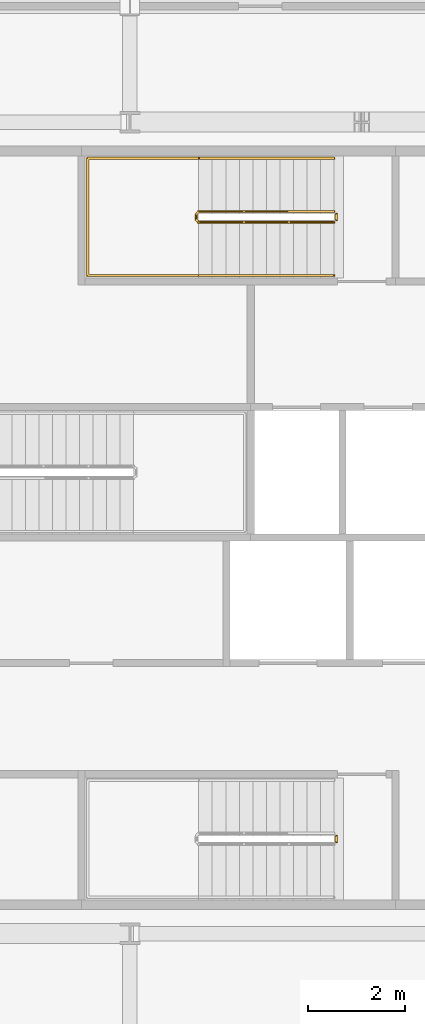
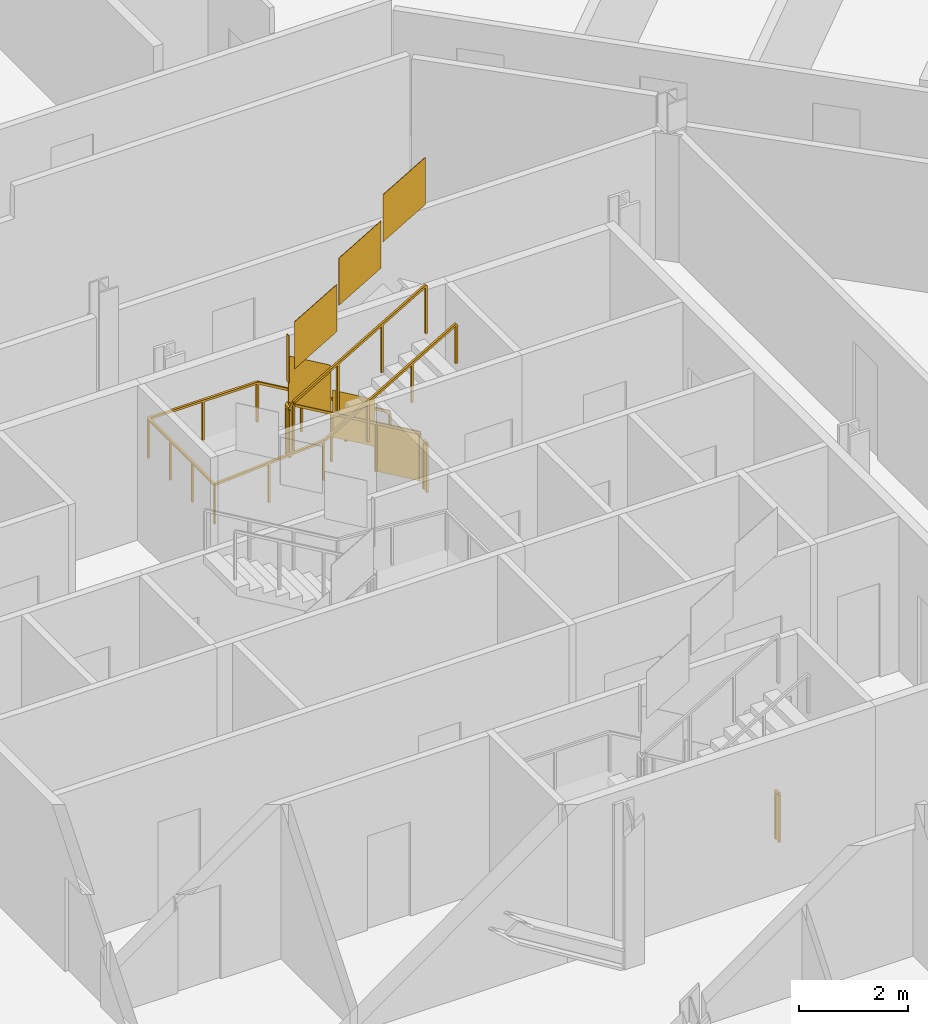
# One storey, part 18 of 21: 4 railings.
"""IFC4 building model written with IfcOpenShell, lengths in metres."""

from ifc_helpers import new_model, si_unit, direction, frame, origin, origin_2d, place, context, subcontext, project, spatial, polyline, rectangle, outline, extrude, material, type_object, element, save


model = new_model("IFC4")

# Units and contexts
model_context = context("Model", 3, precision=1e-05, world=origin(), true_north=direction((0.0, 1.0)))
body_context = subcontext(model_context, "Body", "Model", "MODEL_VIEW")
ifc_project = project(units=[si_unit("LENGTHUNIT", "METRE"), si_unit("AREAUNIT", "SQUARE_METRE"), si_unit("VOLUMEUNIT", "CUBIC_METRE"), si_unit("PLANEANGLEUNIT", "RADIAN"), si_unit("MASSUNIT", "GRAM", prefix="KILO")], contexts=[model_context])

# Site, building, storey
site_placement = place(None, origin())
site = spatial("IfcSite", under=ifc_project, at=site_placement, CompositionType="ELEMENT")
building_placement = place(site_placement, origin())
building = spatial("IfcBuilding", under=site, at=building_placement, Name="Cairn Pilgrim Tower", CompositionType="ELEMENT")
storey_placement = place(building_placement, frame((0.0, 0.0, 150.60009765625)))
storey = spatial("IfcBuildingStorey", under=building, at=storey_placement, Name="L37", CompositionType="ELEMENT", Elevation=150.60009765625)

# Railings
ifc_material = material(Name="Painted steel", Category="steel")
railing_type_1 = type_object("IfcRailingType", Name="STAIR GUARD 1100", PredefinedType="GUARDRAIL", material=ifc_material)
railing_1_placement = place(storey_placement, frame((11.47509765625, -3.97509765625, 0.0)))
element("IfcRailing", 1, at=railing_1_placement, inside=storey, type_object=railing_type_1, Name="L37 ST-A stair guard 2", PredefinedType="GUARDRAIL", context=body_context, shape_type="SweptSolid", body=[
    extrude(rectangle(XDim=0.048095703125, YDim=0.048095703125, at=origin_2d()), frame((0.0, 0.0, 1.076171875), z_axis=(0.0, -1.0, 0.0), x_axis=(1.0, 0.0, 0.0)), (0.0, 0.0, 1.0), 0.125),
    extrude(rectangle(XDim=0.0419921875, YDim=0.0419921875, at=origin_2d()), origin(), (0.0, 0.0, 1.0), 1.052001953125),
    extrude(rectangle(XDim=0.0419921875, YDim=0.0419921875, at=origin_2d()), frame((0.0, -0.125, 0.0)), (0.0, 0.0, 1.0), 1.052001953125),
    extrude(outline(polyline([(0.02099609375, 0.0), (0.10400390625, 0.0), (0.10400390625, 1.052001953125), (0.02099609375, 1.052001953125), (0.02099609375, 0.0)])), frame((0.005859375, 0.0, 0.0), z_axis=(-1.0, 0.0, 0.0), x_axis=(0.0, -1.0, 0.0)), (0.0, 0.0, 1.0), 0.011962890625),
])
railing_2_placement = place(storey_placement, frame((11.425048828125, 8.949951171875, 0.16357421875)))
element("IfcRailing", 2, at=railing_2_placement, inside=storey, type_object=railing_type_1, Name="L37 ST-C stair guard 1", PredefinedType="GUARDRAIL", context=body_context, shape_type="SweptSolid", body=[
    extrude(rectangle(XDim=0.048095703125, YDim=0.048095703125, at=origin_2d()), frame((0.0, 0.0, 1.076171875), z_axis=(-0.863393664356, 0.0, 0.504530851732), x_axis=(0.0, -1.0, 0.0)), (0.0, 0.0, 1.0), 3.2431640625),
    extrude(rectangle(XDim=0.048095703125, YDim=0.048095703125, at=origin_2d()), frame((-2.800048828125, 0.0, 2.71240234375), z_axis=(-0.707106781187, -0.707106781187, 0.0), x_axis=(0.707106781187, -0.707106781187, 0.0)), (0.0, 0.0, 1.0), 0.07080078125),
    extrude(rectangle(XDim=0.048095703125, YDim=0.048095703125, at=origin_2d()), frame((-2.85009765625, -0.050048828125, 2.71240234375), z_axis=(0.0, -1.0, 0.0), x_axis=(1.0, 0.0, 0.0)), (0.0, 0.0, 1.0), 0.125),
    extrude(rectangle(XDim=0.048095703125, YDim=0.048095703125, at=origin_2d()), frame((-2.85009765625, -0.175048828125, 2.71240234375), z_axis=(0.280563532951, -0.279194930351, 0.91833234444), x_axis=(0.705375805398, 0.708833529934, 0.0)), (0.0, 0.0, 1.0), 0.178466796875),
    extrude(rectangle(XDim=0.048095703125, YDim=0.048095703125, at=origin_2d()), frame((-2.800048828125, -0.224853515625, 2.8759765625), z_axis=(0.863393664356, 0.0, 0.504530851732), x_axis=(0.0, 1.0, 0.0)), (0.0, 0.0, 1.0), 3.2431640625),
    extrude(rectangle(XDim=0.0419921875, YDim=0.0419921875, at=origin_2d()), origin(), (0.0, 0.0, 1.0), 1.052001953125),
    extrude(rectangle(XDim=0.0419921875, YDim=0.0419921875, at=origin_2d()), frame((-0.933349609375, 0.0, 0.54541015625)), (0.0, 0.0, 1.0), 1.052001953125),
    extrude(rectangle(XDim=0.0419921875, YDim=0.0419921875, at=origin_2d()), frame((-1.86669921875, 0.0, 1.0908203125)), (0.0, 0.0, 1.0), 1.052001953125),
    extrude(rectangle(XDim=0.0419921875, YDim=0.0419921875, at=origin_2d()), frame((-2.800048828125, 0.0, 1.63623046875)), (0.0, 0.0, 1.0), 1.052001953125),
    extrude(rectangle(XDim=0.0419921875, YDim=0.0419921875, at=origin_2d()), frame((-2.85009765625, -0.050048828125, 1.63623046875)), (0.0, 0.0, 1.0), 1.052001953125),
    extrude(rectangle(XDim=0.0419921875, YDim=0.0419921875, at=origin_2d()), frame((-2.85009765625, -0.175048828125, 1.63623046875)), (0.0, 0.0, 1.0), 1.052001953125),
    extrude(rectangle(XDim=0.0419921875, YDim=0.0419921875, at=origin_2d()), frame((-2.800048828125, -0.224853515625, 1.800048828125)), (0.0, 0.0, 1.0), 1.052001953125),
    extrude(rectangle(XDim=0.0419921875, YDim=0.0419921875, at=origin_2d()), frame((-1.86669921875, -0.224853515625, 2.345458984375)), (0.0, 0.0, 1.0), 1.052001953125),
    extrude(rectangle(XDim=0.0419921875, YDim=0.0419921875, at=origin_2d()), frame((-0.933349609375, -0.224853515625, 2.890869140625)), (0.0, 0.0, 1.0), 1.052001953125),
    extrude(rectangle(XDim=0.0419921875, YDim=0.0419921875, at=origin_2d()), frame((0.0, -0.224853515625, 3.436279296875)), (0.0, 0.0, 1.0), 1.052001953125),
    extrude(outline(polyline([(0.02099609375, 0.01220703125), (0.912353515625, 0.533203125), (0.912353515625, 1.585205078125), (0.02099609375, 1.064208984375), (0.02099609375, 0.01220703125)])), frame((0.0, -0.005859375, 0.0), z_axis=(0.0, 1.0, 0.0), x_axis=(-1.0, 0.0, 0.0)), (0.0, 0.0, 1.0), 0.011962890625),
    extrude(outline(polyline([(0.02099609375, 0.5576171875), (0.912353515625, 1.07861328125), (0.912353515625, 2.130615234375), (0.02099609375, 1.609619140625), (0.02099609375, 0.5576171875)])), frame((-0.933349609375, -0.005859375, 0.54541015625), z_axis=(0.0, 1.0, 0.0), x_axis=(-1.0, 0.0, 0.0)), (0.0, 0.0, 1.0), 0.011962890625),
    extrude(outline(polyline([(0.02099609375, 1.10302734375), (0.912353515625, 1.6240234375), (0.912353515625, 2.676025390625), (0.02099609375, 2.155029296875), (0.02099609375, 1.10302734375)])), frame((-1.86669921875, -0.005859375, 1.0908203125), z_axis=(0.0, 1.0, 0.0), x_axis=(-1.0, 0.0, 0.0)), (0.0, 0.0, 1.0), 0.011962890625),
    extrude(outline(polyline([(0.02099609375, 1.63623046875), (0.10400390625, 1.63623046875), (0.10400390625, 2.688232421875), (0.02099609375, 2.688232421875), (0.02099609375, 1.63623046875)])), frame((-2.84423828125, -0.050048828125, 1.63623046875), z_axis=(-1.0, 0.0, 0.0), x_axis=(0.0, -1.0, 0.0)), (0.0, 0.0, 1.0), 0.011962890625),
    extrude(outline(polyline([(0.02099609375, 1.812255859375), (0.912353515625, 2.333251953125), (0.912353515625, 3.38525390625), (0.02099609375, 2.8642578125), (0.02099609375, 1.812255859375)])), frame((-2.800048828125, -0.21875, 1.800048828125), z_axis=(0.0, -1.0, 0.0), x_axis=(1.0, 0.0, 0.0)), (0.0, 0.0, 1.0), 0.011962890625),
    extrude(outline(polyline([(0.02099609375, 2.357666015625), (0.912353515625, 2.878662109375), (0.912353515625, 3.9306640625), (0.02099609375, 3.40966796875), (0.02099609375, 2.357666015625)])), frame((-1.86669921875, -0.21875, 2.345458984375), z_axis=(0.0, -1.0, 0.0), x_axis=(1.0, 0.0, 0.0)), (0.0, 0.0, 1.0), 0.011962890625),
    extrude(outline(polyline([(0.02099609375, 2.903076171875), (0.912353515625, 3.424072265625), (0.912353515625, 4.47607421875), (0.02099609375, 3.955078125), (0.02099609375, 2.903076171875)])), frame((-0.933349609375, -0.21875, 2.890869140625), z_axis=(0.0, -1.0, 0.0), x_axis=(1.0, 0.0, 0.0)), (0.0, 0.0, 1.0), 0.011962890625),
])
railing_3_placement = place(storey_placement, frame((11.47509765625, 8.89990234375, 0.0)))
element("IfcRailing", 3, at=railing_3_placement, inside=storey, type_object=railing_type_1, Name="L37 ST-C stair guard 2", PredefinedType="GUARDRAIL", context=body_context, shape_type="SweptSolid", body=[
    extrude(rectangle(XDim=0.048095703125, YDim=0.048095703125, at=origin_2d()), frame((0.0, 0.0, 1.076171875), z_axis=(0.0, -1.0, 0.0), x_axis=(1.0, 0.0, 0.0)), (0.0, 0.0, 1.0), 0.125),
    extrude(rectangle(XDim=0.0419921875, YDim=0.0419921875, at=origin_2d()), origin(), (0.0, 0.0, 1.0), 1.052001953125),
    extrude(rectangle(XDim=0.0419921875, YDim=0.0419921875, at=origin_2d()), frame((0.0, -0.125, 0.0)), (0.0, 0.0, 1.0), 1.052001953125),
    extrude(outline(polyline([(0.02099609375, 0.0), (0.10400390625, 0.0), (0.10400390625, 1.052001953125), (0.02099609375, 1.052001953125), (0.02099609375, 0.0)])), frame((0.005859375, 0.0, 0.0), z_axis=(-1.0, 0.0, 0.0), x_axis=(0.0, -1.0, 0.0)), (0.0, 0.0, 1.0), 0.011962890625),
])
railing_type_2 = type_object("IfcRailingType", Name="STAIR HANDRAIL 900", PredefinedType="HANDRAIL", material=ifc_material)
railing_4_placement = place(storey_placement, frame((11.425048828125, 10.050048828125, 0.16357421875)))
element("IfcRailing", 4, at=railing_4_placement, inside=storey, type_object=railing_type_2, Name="L37 ST-C stair handrail 1", PredefinedType="HANDRAIL", context=body_context, shape_type="SweptSolid", body=[
    extrude(rectangle(XDim=0.048095703125, YDim=0.048095703125, at=origin_2d()), frame((0.0, 0.0, 0.8759765625), z_axis=(-0.863393664356, 0.0, 0.504530851732), x_axis=(0.0, -1.0, 0.0)), (0.0, 0.0, 1.0), 3.2431640625),
    extrude(rectangle(XDim=0.048095703125, YDim=0.048095703125, at=origin_2d()), frame((-2.800048828125, 0.0, 2.51220703125), z_axis=(-1.0, 0.0, 0.0), x_axis=(0.0, -1.0, 0.0)), (0.0, 0.0, 1.0), 2.300048828125),
    extrude(rectangle(XDim=0.048095703125, YDim=0.048095703125, at=origin_2d()), frame((-5.10009765625, 0.0, 2.51220703125), z_axis=(0.0, -1.0, 0.0), x_axis=(1.0, 0.0, 0.0)), (0.0, 0.0, 1.0), 2.425048828125),
    extrude(rectangle(XDim=0.048095703125, YDim=0.048095703125, at=origin_2d()), frame((-5.10009765625, -2.425048828125, 2.51220703125), z_axis=(0.99747319029, 0.0, 0.071043892441), x_axis=(0.0, 1.0, 0.0)), (0.0, 0.0, 1.0), 2.305908203125),
    extrude(rectangle(XDim=0.048095703125, YDim=0.048095703125, at=origin_2d()), frame((-2.800048828125, -2.425048828125, 2.67578125), z_axis=(0.863393664356, 0.0, 0.504530851732), x_axis=(0.0, 1.0, 0.0)), (0.0, 0.0, 1.0), 3.2431640625),
    extrude(rectangle(XDim=0.0419921875, YDim=0.0419921875, at=origin_2d()), origin(), (0.0, 0.0, 1.0), 0.851806640625),
    extrude(rectangle(XDim=0.0419921875, YDim=0.0419921875, at=origin_2d()), frame((-0.933349609375, 0.0, 0.54541015625)), (0.0, 0.0, 1.0), 0.851806640625),
    extrude(rectangle(XDim=0.0419921875, YDim=0.0419921875, at=origin_2d()), frame((-1.86669921875, 0.0, 1.0908203125)), (0.0, 0.0, 1.0), 0.851806640625),
    extrude(rectangle(XDim=0.0419921875, YDim=0.0419921875, at=origin_2d()), frame((-2.800048828125, 0.0, 1.63623046875)), (0.0, 0.0, 1.0), 0.851806640625),
    extrude(rectangle(XDim=0.0419921875, YDim=0.0419921875, at=origin_2d()), frame((-3.9501953125, 0.0, 1.63623046875)), (0.0, 0.0, 1.0), 0.851806640625),
    extrude(rectangle(XDim=0.0419921875, YDim=0.0419921875, at=origin_2d()), frame((-5.10009765625, 0.0, 1.63623046875)), (0.0, 0.0, 1.0), 0.851806640625),
    extrude(rectangle(XDim=0.0419921875, YDim=0.0419921875, at=origin_2d()), frame((-5.10009765625, -0.808349609375, 1.63623046875)), (0.0, 0.0, 1.0), 0.851806640625),
    extrude(rectangle(XDim=0.0419921875, YDim=0.0419921875, at=origin_2d()), frame((-5.10009765625, -1.61669921875, 1.63623046875)), (0.0, 0.0, 1.0), 0.851806640625),
    extrude(rectangle(XDim=0.0419921875, YDim=0.0419921875, at=origin_2d()), frame((-5.10009765625, -2.425048828125, 1.63623046875)), (0.0, 0.0, 1.0), 0.851806640625),
    extrude(rectangle(XDim=0.0419921875, YDim=0.0419921875, at=origin_2d()), frame((-3.9501953125, -2.425048828125, 1.71826171875)), (0.0, 0.0, 1.0), 0.851806640625),
    extrude(rectangle(XDim=0.0419921875, YDim=0.0419921875, at=origin_2d()), frame((-2.800048828125, -2.425048828125, 1.800048828125)), (0.0, 0.0, 1.0), 0.851806640625),
    extrude(rectangle(XDim=0.0419921875, YDim=0.0419921875, at=origin_2d()), frame((-1.86669921875, -2.425048828125, 2.345458984375)), (0.0, 0.0, 1.0), 0.851806640625),
    extrude(rectangle(XDim=0.0419921875, YDim=0.0419921875, at=origin_2d()), frame((-0.933349609375, -2.425048828125, 2.890869140625)), (0.0, 0.0, 1.0), 0.851806640625),
    extrude(rectangle(XDim=0.0419921875, YDim=0.0419921875, at=origin_2d()), frame((0.0, -2.425048828125, 3.436279296875)), (0.0, 0.0, 1.0), 0.851806640625),
])

save(model, "model.ifc")
